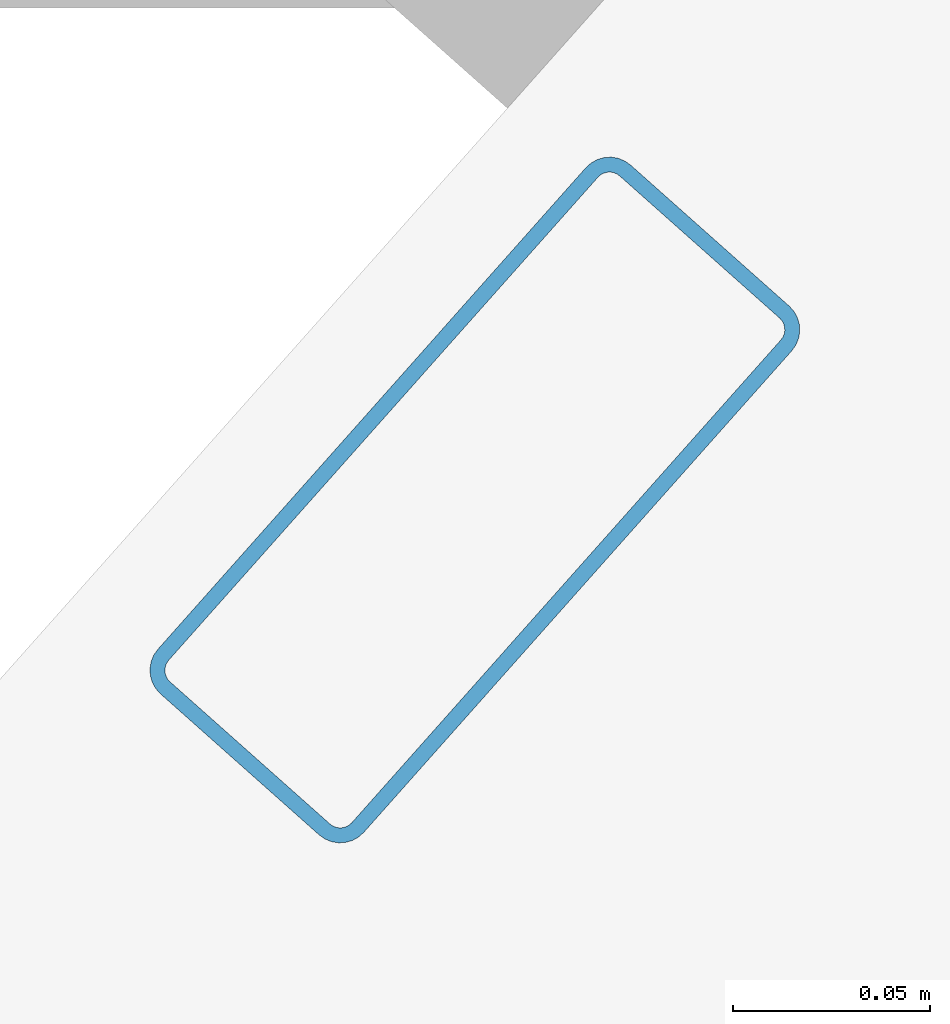
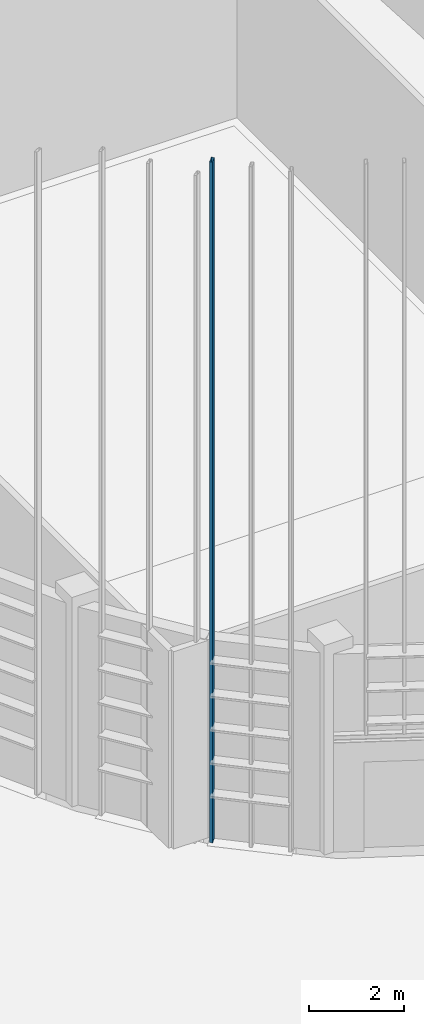
# One storey, part 155 of 372: 1 member.
"""IFC4 building model written with IfcOpenShell, lengths in metres."""

from ifc_helpers import new_model, si_unit, direction, frame, origin, origin_2d, place, context, subcontext, project, spatial, hollow_rectangle, extrude, material, material_profile, profile_set, type_object, element, save


model = new_model("IFC4")

# Units and contexts
model_context = context("Model", 3, precision=1e-05, world=origin(), true_north=direction((0.0, 1.0)))
body_context = subcontext(model_context, "Body", "Model", "MODEL_VIEW")
ifc_project = project(units=[si_unit("LENGTHUNIT", "METRE"), si_unit("AREAUNIT", "SQUARE_METRE"), si_unit("VOLUMEUNIT", "CUBIC_METRE"), si_unit("PLANEANGLEUNIT", "RADIAN"), si_unit("MASSUNIT", "GRAM", prefix="KILO")], contexts=[model_context])

# Site, building, storey
site_placement = place(None, origin())
site = spatial("IfcSite", under=ifc_project, at=site_placement, CompositionType="ELEMENT")
building_placement = place(site_placement, origin())
building = spatial("IfcBuilding", under=site, at=building_placement, Name="Kaelora Sail Theatre", CompositionType="ELEMENT")
storey_placement = place(building_placement, origin())
storey = spatial("IfcBuildingStorey", under=building, at=storey_placement, Name="L00", CompositionType="ELEMENT", Elevation=0.0)

# Member
ifc_material = material(Name="Anodised aluminium 6063-T6", Category="aluminium")
ifc_material_profile = material_profile(ifc_material, hollow_rectangle(XDim=0.070068359375, YDim=0.179931640625, WallThickness=0.00390625, InnerFilletRadius=0.00390625, OuterFilletRadius=0.008056640625, at=origin_2d()), Name="ALU-MULL 70x180x4")
ifc_profile_set = profile_set([ifc_material_profile], Name="Anodised aluminium 6063-T6")
member_type = type_object("IfcMemberType", Name="ARC-MEM-PST-160", PredefinedType="POST", material=ifc_profile_set)
member_placement = place(storey_placement, frame((128.6650390625, 26.794921875, 0.0), z_axis=(0.0, 0.0, 1.0), x_axis=(-0.747450357056, 0.664317667789, 0.0)))
element("IfcMember", 1, at=member_placement, inside=storey, type_object=member_type, Name="Black-Box and Experimental Sail Wing solar louvre vertical support post C13-3", PredefinedType="POST", context=body_context, shape_type="SweptSolid", body=[
    extrude(hollow_rectangle(XDim=0.070068359375, YDim=0.179931640625, WallThickness=0.00390625, InnerFilletRadius=0.00390625, OuterFilletRadius=0.008056640625, at=origin_2d()), origin(), (0.0, 0.0, 1.0), 17.541015625),
])

save(model, "model.ifc")
